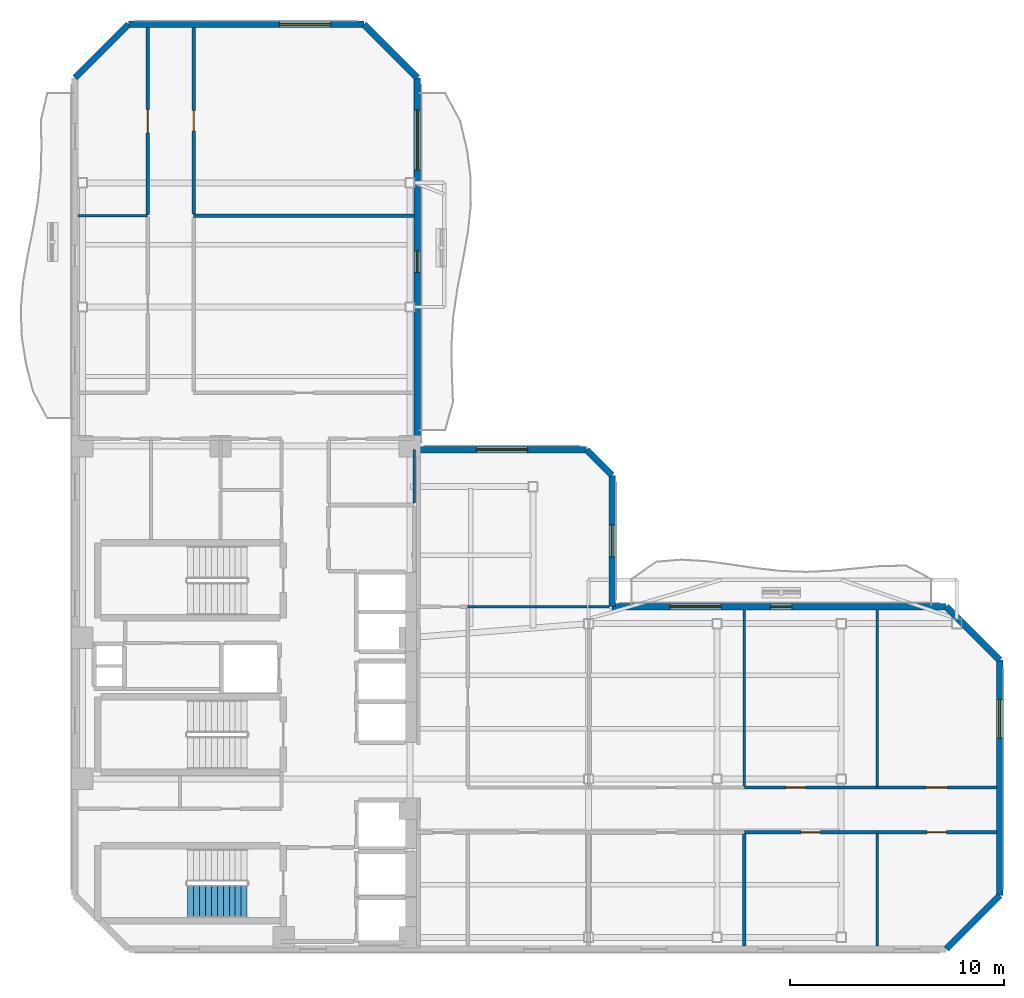
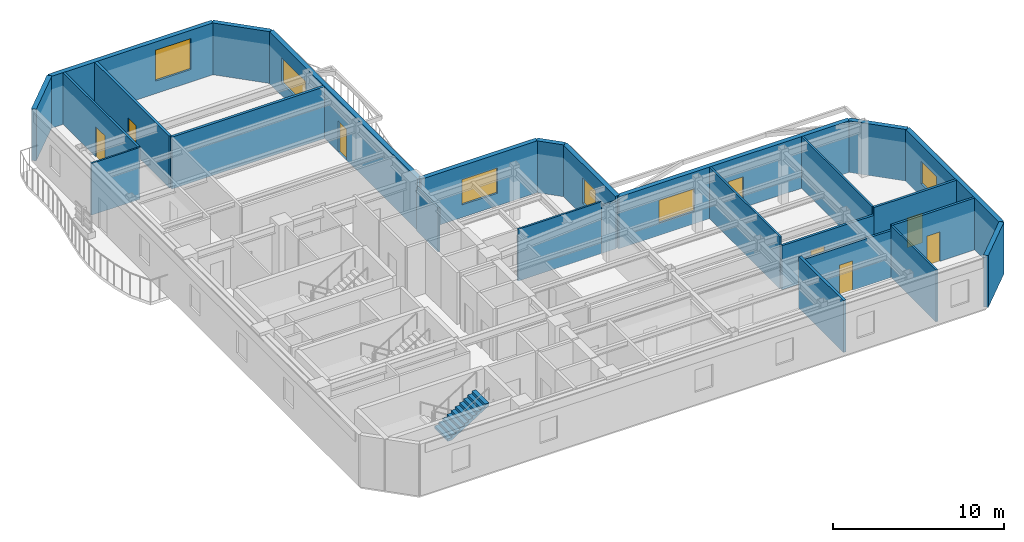
# One storey, part 5 of 13: 26 walls, 8 doors, 6 windows, 1 stair flight, 14 openings, 1 element without a shape of its own.
"""IFC4 building model written with IfcOpenShell, lengths in metres."""

from ifc_helpers import new_model, si_unit, direction, frame, frame_2d, origin, place, context, subcontext, project, spatial, polyline, rectangle, outline, extrude, material, layer, layer_set, type_object, element, fill, aggregate, save


model = new_model("IFC4")

# Units and contexts
model_context = context("Model", 3, precision=1e-05, world=origin(), true_north=direction((0.0, 1.0)))
body_context = subcontext(model_context, "Body", "Model", "MODEL_VIEW")
ifc_project = project(units=[si_unit("LENGTHUNIT", "METRE"), si_unit("AREAUNIT", "SQUARE_METRE"), si_unit("VOLUMEUNIT", "CUBIC_METRE"), si_unit("PLANEANGLEUNIT", "RADIAN"), si_unit("MASSUNIT", "GRAM", prefix="KILO")], contexts=[model_context])

# Site, building, storey
site_placement = place(None, origin())
site = spatial("IfcSite", under=ifc_project, at=site_placement, CompositionType="ELEMENT")
building_placement = place(site_placement, origin())
building = spatial("IfcBuilding", under=site, at=building_placement, Name="Mawjaban Terraces University", CompositionType="ELEMENT")
storey_placement = place(building_placement, frame((0.0, 0.0, 199.199951171875)))
storey = spatial("IfcBuildingStorey", under=building, at=storey_placement, Name="L48", CompositionType="ELEMENT", Elevation=199.199951171875)

# Wall
ifc_material_1 = material(Name="Acoustic masonry blockwork", Category="masonry")
ifc_layer_1 = layer(ifc_material_1, 0.179931640625)
ifc_layer_set_1 = layer_set([ifc_layer_1], Name="Acoustic masonry blockwork")
wall_type_1 = type_object("IfcWallType", Name="AcousticStudioWall_180", PredefinedType="PARTITIONING", material=ifc_layer_set_1)
wall_1_placement = place(storey_placement, frame((37.85009765625, 34.260009765625, 0.0), z_axis=(0.0, 0.0, 1.0), x_axis=(-1.0, 0.0, 0.0)))
element("IfcWall", 1, at=wall_1_placement, inside=storey, type_object=wall_type_1, Name="L48 Faculty Office 11 Partition 17", PredefinedType="PARTITIONING", context=body_context, shape_type="SweptSolid", body=[
    extrude(rectangle(XDim=10.300048828125, YDim=0.179931640625, at=frame_2d((5.14990234375, 0.0))), origin(), (0.0, 0.0, 1.0), 3.68994140625),
])

# Wall, opening, door
wall_2_placement = place(storey_placement, frame((27.550048828125, 34.344970703125, 0.0), z_axis=(0.0, 0.0, 1.0), x_axis=(0.0, 1.0, 0.0)))
wall_2 = element("IfcWall", 2, at=wall_2_placement, inside=storey, type_object=wall_type_1, Name="L48 West Shifted Academic Corridor Partition 36", PredefinedType="PARTITIONING", context=body_context, shape_type="SweptSolid", body=[
    extrude(rectangle(XDim=8.7099609375, YDim=0.179931640625, at=frame_2d((4.35498046875, 0.0))), origin(), (0.0, 0.0, 1.0), 3.68994140625),
])
opening_1_placement = place(wall_2_placement, frame((3.8798828125, 0.0, 0.0)))
opening_1 = element("IfcOpeningElement", 3, at=opening_1_placement, cuts=wall_2, Name="Opening ID-095", PredefinedType="OPENING", context=body_context, shape_type="SweptSolid", body=[
    extrude(rectangle(XDim=0.949951171875, YDim=2.10009765625, at=frame_2d((0.47509765625, 1.050048828125))), frame((0.0, 0.099853515625, 0.0), z_axis=(0.0, -1.0, 0.0), x_axis=(1.0, 0.0, 0.0)), (0.0, 0.0, 1.0), 0.199951171875),
])
ifc_material_2 = material(Name="Powder-coated steel frame and solid acoustic timber leaf", Category="steel")
door_type_1 = type_object("IfcDoorType", Name="StudioDoor_950x2100", OperationType="NOTDEFINED", PredefinedType="DOOR", material=ifc_material_2)
door_1_placement = place(opening_1_placement, origin())
door_1 = element("IfcDoor", 4, at=door_1_placement, inside=storey, type_object=door_type_1, Name="L48 Design Studio 13 Door", OperationType="SINGLE_SWING_RIGHT", OverallHeight=2.10009765625, OverallWidth=0.949951171875, PredefinedType="DOOR", context=body_context, shape_type="SweptSolid", body=[
    extrude(rectangle(XDim=0.949951171875, YDim=2.10009765625, at=frame_2d((0.47509765625, 1.050048828125))), frame((0.0, 0.02490234375, 0.0), z_axis=(0.0, -1.0, 0.0), x_axis=(1.0, 0.0, 0.0)), (0.0, 0.0, 1.0), 0.050048828125),
])
fill(opening_1, door_1)

# Wall
wall_3_placement = place(storey_placement, frame((53.27001953125, 0.14501953125, 0.0), z_axis=(0.0, 0.0, 1.0), x_axis=(0.0, 1.0, 0.0)))
element("IfcWall", 5, at=wall_3_placement, inside=storey, type_object=wall_type_1, Name="L48 Media Workshop 4 Partition 54", PredefinedType="PARTITIONING", context=body_context, shape_type="SweptSolid", body=[
    extrude(rectangle(XDim=5.219970703125, YDim=0.179931640625, at=frame_2d((2.60986328125, 0.0))), origin(), (0.0, 0.0, 1.0), 3.68994140625),
])

# Wall, opening, door
ifc_material_3 = material(Name="Fire-rated gypsum board on steel stud", Category="steel")
ifc_layer_2 = layer(ifc_material_3, 0.159912109375)
ifc_layer_set_2 = layer_set([ifc_layer_2], Name="Fire-rated gypsum board on steel stud")
wall_type_2 = type_object("IfcWallType", Name="CorridorPartition_160", PredefinedType="PARTITIONING", material=ifc_layer_set_2)
wall_4_placement = place(storey_placement, frame((53.27001953125, 5.449951171875, 0.0), z_axis=(0.0, 0.0, 1.0), x_axis=(1.0, 0.0, 0.0)))
wall_4 = element("IfcWall", 6, at=wall_4_placement, inside=storey, type_object=wall_type_2, Name="L48 South Shifted Academic Corridor Partition 25", PredefinedType="PARTITIONING", context=body_context, shape_type="SweptSolid", body=[
    extrude(rectangle(XDim=6.2099609375, YDim=0.159912109375, at=frame_2d((3.10498046875, 0.0))), origin(), (0.0, 0.0, 1.0), 3.343017578125),
])
opening_2_placement = place(wall_4_placement, frame((2.655029296875, 0.0, 0.0)))
opening_2 = element("IfcOpeningElement", 7, at=opening_2_placement, cuts=wall_4, Name="Opening ID-090", PredefinedType="OPENING", context=body_context, shape_type="SweptSolid", body=[
    extrude(rectangle(XDim=0.89990234375, YDim=2.10009765625, at=frame_2d((0.449951171875, 1.050048828125))), frame((0.0, 0.08984375, 0.0), z_axis=(0.0, -1.0, 0.0), x_axis=(1.0, 0.0, 0.0)), (0.0, 0.0, 1.0), 0.179931640625),
])
door_type_2 = type_object("IfcDoorType", Name="OfficeDoor_900x2100", OperationType="NOTDEFINED", PredefinedType="DOOR", material=ifc_material_2)
door_2_placement = place(opening_2_placement, origin())
door_2 = element("IfcDoor", 8, at=door_2_placement, inside=storey, type_object=door_type_2, Name="L48 Reading Salon 6 Door", OperationType="SINGLE_SWING_LEFT", OverallHeight=2.10009765625, OverallWidth=0.89990234375, PredefinedType="DOOR", context=body_context, shape_type="SweptSolid", body=[
    extrude(rectangle(XDim=0.89990234375, YDim=2.10009765625, at=frame_2d((0.449951171875, 1.050048828125))), frame((0.0, 0.02490234375, 0.0), z_axis=(0.0, -1.0, 0.0), x_axis=(1.0, 0.0, 0.0)), (0.0, 0.0, 1.0), 0.050048828125),
])
fill(opening_2, door_2)

wall_5_placement = place(storey_placement, frame((59.47998046875, 5.449951171875, 0.0), z_axis=(0.0, 0.0, 1.0), x_axis=(1.0, 0.0, 0.0)))
wall_5 = element("IfcWall", 9, at=wall_5_placement, inside=storey, type_object=wall_type_2, Name="L48 South Shifted Academic Corridor Partition 27", PredefinedType="PARTITIONING", context=body_context, shape_type="SweptSolid", body=[
    extrude(rectangle(XDim=5.574951171875, YDim=0.159912109375, at=frame_2d((2.78759765625, 0.0))), origin(), (0.0, 0.0, 1.0), 3.68994140625),
])
opening_3_placement = place(wall_5_placement, frame((2.337890625, 0.0, 0.0)))
opening_3 = element("IfcOpeningElement", 10, at=opening_3_placement, cuts=wall_5, Name="Opening ID-090", PredefinedType="OPENING", context=body_context, shape_type="SweptSolid", body=[
    extrude(rectangle(XDim=0.89990234375, YDim=2.10009765625, at=frame_2d((0.449951171875, 1.050048828125))), frame((0.0, 0.08984375, 0.0), z_axis=(0.0, -1.0, 0.0), x_axis=(1.0, 0.0, 0.0)), (0.0, 0.0, 1.0), 0.179931640625),
])
door_3_placement = place(opening_3_placement, origin())
door_3 = element("IfcDoor", 11, at=door_3_placement, inside=storey, type_object=door_type_2, Name="L48 Academic Counseling Room 8 Door", OperationType="SINGLE_SWING_LEFT", OverallHeight=2.10009765625, OverallWidth=0.89990234375, PredefinedType="DOOR", context=body_context, shape_type="SweptSolid", body=[
    extrude(rectangle(XDim=0.89990234375, YDim=2.10009765625, at=frame_2d((0.449951171875, 1.050048828125))), frame((0.0, 0.02490234375, 0.0), z_axis=(0.0, -1.0, 0.0), x_axis=(1.0, 0.0, 0.0)), (0.0, 0.0, 1.0), 0.050048828125),
])
fill(opening_3, door_3)

wall_6_placement = place(storey_placement, frame((59.47998046875, 7.550048828125, 0.0), z_axis=(0.0, 0.0, 1.0), x_axis=(-1.0, 0.0, 0.0)))
wall_6 = element("IfcWall", 12, at=wall_6_placement, inside=storey, type_object=wall_type_2, Name="L48 South Shifted Academic Corridor Partition 28", PredefinedType="PARTITIONING", context=body_context, shape_type="SweptSolid", body=[
    extrude(rectangle(XDim=6.2099609375, YDim=0.159912109375, at=frame_2d((3.10498046875, 0.0))), origin(), (0.0, 0.0, 1.0), 3.13916015625),
])
opening_4_placement = place(wall_6_placement, frame((3.35498046875, 0.0, 0.0)))
opening_4 = element("IfcOpeningElement", 13, at=opening_4_placement, cuts=wall_6, Name="Opening ID-090", PredefinedType="OPENING", context=body_context, shape_type="SweptSolid", body=[
    extrude(rectangle(XDim=0.89990234375, YDim=2.10009765625, at=frame_2d((0.449951171875, 1.050048828125))), frame((0.0, 0.08984375, 0.0), z_axis=(0.0, -1.0, 0.0), x_axis=(1.0, 0.0, 0.0)), (0.0, 0.0, 1.0), 0.179931640625),
])
door_4_placement = place(opening_4_placement, origin())
door_4 = element("IfcDoor", 14, at=door_4_placement, inside=storey, type_object=door_type_2, Name="L48 Academic Counseling Room 7 Door", OperationType="SINGLE_SWING_RIGHT", OverallHeight=2.10009765625, OverallWidth=0.89990234375, PredefinedType="DOOR", context=body_context, shape_type="SweptSolid", body=[
    extrude(rectangle(XDim=0.89990234375, YDim=2.10009765625, at=frame_2d((0.449951171875, 1.050048828125))), frame((0.0, 0.02490234375, 0.0), z_axis=(0.0, -1.0, 0.0), x_axis=(1.0, 0.0, 0.0)), (0.0, 0.0, 1.0), 0.050048828125),
])
fill(opening_4, door_4)

wall_7_placement = place(storey_placement, frame((65.054931640625, 7.550048828125, 0.0), z_axis=(0.0, 0.0, 1.0), x_axis=(-1.0, 0.0, 0.0)))
wall_7 = element("IfcWall", 15, at=wall_7_placement, inside=storey, type_object=wall_type_2, Name="L48 South Shifted Academic Corridor Partition 29", PredefinedType="PARTITIONING", context=body_context, shape_type="SweptSolid", body=[
    extrude(rectangle(XDim=5.574951171875, YDim=0.159912109375, at=frame_2d((2.78759765625, 0.0))), origin(), (0.0, 0.0, 1.0), 3.68994140625),
])
opening_5_placement = place(wall_7_placement, frame((2.2880859375, 0.0, 0.0)))
opening_5 = element("IfcOpeningElement", 16, at=opening_5_placement, cuts=wall_7, Name="Opening ID-100", PredefinedType="OPENING", context=body_context, shape_type="SweptSolid", body=[
    extrude(rectangle(XDim=1.0, YDim=2.10009765625, at=frame_2d((0.5, 1.050048828125))), frame((0.0, 0.08984375, 0.0), z_axis=(0.0, -1.0, 0.0), x_axis=(1.0, 0.0, 0.0)), (0.0, 0.0, 1.0), 0.179931640625),
])
door_type_3 = type_object("IfcDoorType", Name="ClassroomDoor_1000x2100", OperationType="NOTDEFINED", PredefinedType="DOOR", material=ifc_material_2)
door_5_placement = place(opening_5_placement, origin())
door_5 = element("IfcDoor", 17, at=door_5_placement, inside=storey, type_object=door_type_3, Name="L48 Classroom 9 Door", OperationType="SINGLE_SWING_RIGHT", OverallHeight=2.10009765625, OverallWidth=1.0, PredefinedType="DOOR", context=body_context, shape_type="SweptSolid", body=[
    extrude(rectangle(XDim=1.0, YDim=2.10009765625, at=frame_2d((0.5, 1.050048828125))), frame((0.0, 0.02490234375, 0.0), z_axis=(0.0, -1.0, 0.0), x_axis=(1.0, 0.0, 0.0)), (0.0, 0.0, 1.0), 0.050048828125),
])
fill(opening_5, door_5)

# Wall
ifc_material_4 = material(Name="Insulated terracotta rainscreen on concrete backup C40/50", Category="masonry")
ifc_layer_3 = layer(ifc_material_4, 0.300048828125)
ifc_layer_set_3 = layer_set([ifc_layer_3], Name="Insulated terracotta rainscreen on concrete backup C40/50")
wall_type_3 = type_object("IfcWallType", Name="ExtTerracottaWall_300", PredefinedType="SOLIDWALL", material=ifc_layer_set_3)
wall_8_placement = place(storey_placement, frame((62.699951171875, 0.0, 0.0), z_axis=(0.0, 0.0, 1.0), x_axis=(0.707106781187, 0.707106781187, 0.0)))
element("IfcWall", 18, at=wall_8_placement, inside=storey, type_object=wall_type_3, Name="L48 Exterior Terracotta Wall 2", PredefinedType="SOLIDWALL", context=body_context, shape_type="SweptSolid", body=[
    extrude(rectangle(XDim=3.53564453125, YDim=0.300048828125, at=frame_2d((1.767822265625, 0.0))), origin(), (0.0, 0.0, 1.0), 3.68994140625),
])

# Wall, opening, window
wall_9_placement = place(storey_placement, frame((65.199951171875, 2.5, 0.0), z_axis=(0.0, 0.0, 1.0), x_axis=(0.0, 1.0, 0.0)))
wall_9 = element("IfcWall", 19, at=wall_9_placement, inside=storey, type_object=wall_type_3, Name="L48 Exterior Terracotta Wall 3", PredefinedType="SOLIDWALL", context=body_context, shape_type="SweptSolid", body=[
    extrude(rectangle(XDim=11.0, YDim=0.300048828125, at=frame_2d((5.5, 0.0))), origin(), (0.0, 0.0, 1.0), 3.68994140625),
])
opening_6_placement = place(wall_9_placement, frame((7.35009765625, 0.0, 0.89990234375)))
opening_6 = element("IfcOpeningElement", 20, at=opening_6_placement, cuts=wall_9, Name="Opening W-03", PredefinedType="OPENING", context=body_context, shape_type="SweptSolid", body=[
    extrude(rectangle(XDim=1.800048828125, YDim=1.60009765625, at=frame_2d((0.89990234375, 0.800048828125))), frame((0.0, 0.159912109375, 0.0), z_axis=(0.0, -1.0, 0.0), x_axis=(1.0, 0.0, 0.0)), (0.0, 0.0, 1.0), 0.320068359375),
])
ifc_material_5 = material(Name="Low-E solar-control double glazing in thermally broken aluminium frame", Category="aluminium")
window_type_1 = type_object("IfcWindowType", Name="Win_1800x1600", PartitioningType="SINGLE_PANEL", PredefinedType="WINDOW", material=ifc_material_5)
window_1_placement = place(opening_6_placement, origin())
window_1 = element("IfcWindow", 21, at=window_1_placement, inside=storey, type_object=window_type_1, Name="L48 Facade Window 3.2", OverallHeight=1.60009765625, OverallWidth=1.800048828125, PartitioningType="SINGLE_PANEL", PredefinedType="WINDOW", context=body_context, shape_type="SweptSolid", body=[
    extrude(rectangle(XDim=1.800048828125, YDim=1.60009765625, at=frame_2d((0.89990234375, 0.800048828125))), frame((0.0, 0.030029296875, 0.0), z_axis=(0.0, -1.0, 0.0), x_axis=(1.0, 0.0, 0.0)), (0.0, 0.0, 1.0), 0.06005859375),
])
fill(opening_6, window_1)

# Wall
wall_10_placement = place(storey_placement, frame((65.199951171875, 13.5, 0.0), z_axis=(0.0, 0.0, 1.0), x_axis=(-0.707106781187, 0.707106781187, 0.0)))
element("IfcWall", 22, at=wall_10_placement, inside=storey, type_object=wall_type_3, Name="L48 Exterior Terracotta Wall 4", PredefinedType="SOLIDWALL", context=body_context, shape_type="SweptSolid", body=[
    extrude(rectangle(XDim=3.53564453125, YDim=0.300048828125, at=frame_2d((1.767822265625, 0.0))), origin(), (0.0, 0.0, 1.0), 3.68994140625),
])

# Wall, openings, door, window
wall_11_placement = place(storey_placement, frame((62.699951171875, 16.0, 0.0), z_axis=(0.0, 0.0, 1.0), x_axis=(-1.0, 0.0, 0.0)))
wall_11 = element("IfcWall", 23, at=wall_11_placement, inside=storey, type_object=wall_type_3, Name="L48 Exterior Terracotta Wall 5", PredefinedType="SOLIDWALL", context=body_context, shape_type="SweptSolid", body=[
    extrude(rectangle(XDim=15.599853515625, YDim=0.300048828125, at=frame_2d((7.7998046875, 0.0))), origin(), (0.0, 0.0, 1.0), 3.68994140625),
])
opening_7_placement = place(wall_11_placement, frame((7.199951171875, 0.0, 0.0)))
opening_7 = element("IfcOpeningElement", 24, at=opening_7_placement, cuts=wall_11, Name="Opening BD-100", PredefinedType="OPENING", context=body_context, shape_type="SweptSolid", body=[
    extrude(rectangle(XDim=1.0, YDim=2.199951171875, at=frame_2d((0.5, 1.10009765625))), frame((0.0, 0.159912109375, 0.0), z_axis=(0.0, -1.0, 0.0), x_axis=(1.0, 0.0, 0.0)), (0.0, 0.0, 1.0), 0.320068359375),
])
opening_8_placement = place(wall_11_placement, frame((10.5, 0.0, 0.89990234375)))
opening_8 = element("IfcOpeningElement", 25, at=opening_8_placement, cuts=wall_11, Name="Opening W-05", PredefinedType="OPENING", context=body_context, shape_type="SweptSolid", body=[
    extrude(rectangle(XDim=2.39990234375, YDim=1.60009765625, at=frame_2d((1.199951171875, 0.800048828125))), frame((0.0, 0.159912109375, 0.0), z_axis=(0.0, -1.0, 0.0), x_axis=(1.0, 0.0, 0.0)), (0.0, 0.0, 1.0), 0.320068359375),
])
ifc_material_6 = material(Name="Thermally broken anodised aluminium and laminated safety glass", Category="aluminium")
door_type_4 = type_object("IfcDoorType", Name="BalconyGlazedDoor_1000x2200", OperationType="NOTDEFINED", PredefinedType="DOOR", material=ifc_material_6)
door_6_placement = place(opening_7_placement, origin())
door_6 = element("IfcDoor", 26, at=door_6_placement, inside=storey, type_object=door_type_4, Name="L48 Balcony Access Door inner_north", OperationType="SINGLE_SWING_LEFT", OverallHeight=2.199951171875, OverallWidth=1.0, PredefinedType="DOOR", context=body_context, shape_type="SweptSolid", body=[
    extrude(rectangle(XDim=1.0, YDim=2.199951171875, at=frame_2d((0.5, 1.10009765625))), frame((0.0, 0.02490234375, 0.0), z_axis=(0.0, -1.0, 0.0), x_axis=(1.0, 0.0, 0.0)), (0.0, 0.0, 1.0), 0.050048828125),
])
fill(opening_7, door_6)
window_type_2 = type_object("IfcWindowType", Name="Win_2400x1600", PartitioningType="SINGLE_PANEL", PredefinedType="WINDOW", material=ifc_material_5)
window_2_placement = place(opening_8_placement, origin())
window_2 = element("IfcWindow", 27, at=window_2_placement, inside=storey, type_object=window_type_2, Name="L48 Facade Window 5.2", OverallHeight=1.60009765625, OverallWidth=2.39990234375, PartitioningType="SINGLE_PANEL", PredefinedType="WINDOW", context=body_context, shape_type="SweptSolid", body=[
    extrude(rectangle(XDim=2.39990234375, YDim=1.60009765625, at=frame_2d((1.199951171875, 0.800048828125))), frame((0.0, 0.030029296875, 0.0), z_axis=(0.0, -1.0, 0.0), x_axis=(1.0, 0.0, 0.0)), (0.0, 0.0, 1.0), 0.06005859375),
])
fill(opening_8, window_2)

# Wall, opening, window
wall_12_placement = place(storey_placement, frame((47.10009765625, 16.0, 0.0), z_axis=(0.0, 0.0, 1.0), x_axis=(0.0, 1.0, 0.0)))
wall_12 = element("IfcWall", 28, at=wall_12_placement, inside=storey, type_object=wall_type_3, Name="L48 Exterior Terracotta Wall 6", PredefinedType="SOLIDWALL", context=body_context, shape_type="SweptSolid", body=[
    extrude(rectangle(XDim=6.135009765625, YDim=0.300048828125, at=frame_2d((3.0673828125, 0.0))), origin(), (0.0, 0.0, 1.0), 3.68994140625),
])
opening_9_placement = place(wall_12_placement, frame((2.318115234375, 0.0, 0.89990234375)))
opening_9 = element("IfcOpeningElement", 29, at=opening_9_placement, cuts=wall_12, Name="Opening W-06", PredefinedType="OPENING", context=body_context, shape_type="SweptSolid", body=[
    extrude(rectangle(XDim=1.5, YDim=1.800048828125, at=frame_2d((0.75, 0.89990234375))), frame((0.0, 0.159912109375, 0.0), z_axis=(0.0, -1.0, 0.0), x_axis=(1.0, 0.0, 0.0)), (0.0, 0.0, 1.0), 0.320068359375),
])
window_type_3 = type_object("IfcWindowType", Name="Win_1500x1800", PartitioningType="SINGLE_PANEL", PredefinedType="WINDOW", material=ifc_material_5)
window_3_placement = place(opening_9_placement, origin())
window_3 = element("IfcWindow", 30, at=window_3_placement, inside=storey, type_object=window_type_3, Name="L48 Facade Window 6.1", OverallHeight=1.800048828125, OverallWidth=1.5, PartitioningType="SINGLE_PANEL", PredefinedType="WINDOW", context=body_context, shape_type="SweptSolid", body=[
    extrude(rectangle(XDim=1.5, YDim=1.800048828125, at=frame_2d((0.75, 0.89990234375))), frame((0.0, 0.030029296875, 0.0), z_axis=(0.0, -1.0, 0.0), x_axis=(1.0, 0.0, 0.0)), (0.0, 0.0, 1.0), 0.06005859375),
])
fill(opening_9, window_3)

# Wall
wall_13_placement = place(storey_placement, frame((47.10009765625, 22.135009765625, 0.0), z_axis=(0.0, 0.0, 1.0), x_axis=(-0.707178703759, 0.707034851297, 0.0)))
element("IfcWall", 31, at=wall_13_placement, inside=storey, type_object=wall_type_3, Name="L48 Exterior Terracotta Wall 7", PredefinedType="SOLIDWALL", context=body_context, shape_type="SweptSolid", body=[
    extrude(rectangle(XDim=1.697265625, YDim=0.300048828125, at=frame_2d((0.8486328125, 0.0))), origin(), (0.0, 0.0, 1.0), 3.68994140625),
])

# Wall, opening, window
wall_14_placement = place(storey_placement, frame((45.89990234375, 23.3349609375, 0.0), z_axis=(0.0, 0.0, 1.0), x_axis=(-1.0, 0.0, 0.0)))
wall_14 = element("IfcWall", 32, at=wall_14_placement, inside=storey, type_object=wall_type_3, Name="L48 Exterior Terracotta Wall 8", PredefinedType="SOLIDWALL", context=body_context, shape_type="SweptSolid", body=[
    extrude(rectangle(XDim=7.89990234375, YDim=0.300048828125, at=frame_2d((3.949951171875, 0.0))), origin(), (0.0, 0.0, 1.0), 3.68994140625),
])
opening_10_placement = place(wall_14_placement, frame((2.75, 0.0, 0.89990234375)))
opening_10 = element("IfcOpeningElement", 33, at=opening_10_placement, cuts=wall_14, Name="Opening W-08", PredefinedType="OPENING", context=body_context, shape_type="SweptSolid", body=[
    extrude(rectangle(XDim=2.39990234375, YDim=1.800048828125, at=frame_2d((1.199951171875, 0.89990234375))), frame((0.0, 0.159912109375, 0.0), z_axis=(0.0, -1.0, 0.0), x_axis=(1.0, 0.0, 0.0)), (0.0, 0.0, 1.0), 0.320068359375),
])
window_type_4 = type_object("IfcWindowType", Name="Win_2400x1800", PartitioningType="SINGLE_PANEL", PredefinedType="WINDOW", material=ifc_material_5)
window_4_placement = place(opening_10_placement, origin())
window_4 = element("IfcWindow", 34, at=window_4_placement, inside=storey, type_object=window_type_4, Name="L48 Facade Window 8.1", OverallHeight=1.800048828125, OverallWidth=2.39990234375, PartitioningType="SINGLE_PANEL", PredefinedType="WINDOW", context=body_context, shape_type="SweptSolid", body=[
    extrude(rectangle(XDim=2.39990234375, YDim=1.800048828125, at=frame_2d((1.199951171875, 0.89990234375))), frame((0.0, 0.030029296875, 0.0), z_axis=(0.0, -1.0, 0.0), x_axis=(1.0, 0.0, 0.0)), (0.0, 0.0, 1.0), 0.06005859375),
])
fill(opening_10, window_4)

# Wall, openings, door, window
wall_15_placement = place(storey_placement, frame((38.0, 23.3349609375, 0.0), z_axis=(0.0, 0.0, 1.0), x_axis=(0.0, 1.0, 0.0)))
wall_15 = element("IfcWall", 35, at=wall_15_placement, inside=storey, type_object=wall_type_3, Name="L48 Exterior Terracotta Wall 9", PredefinedType="SOLIDWALL", context=body_context, shape_type="SweptSolid", body=[
    extrude(rectangle(XDim=17.364990234375, YDim=0.300048828125, at=frame_2d((8.6826171875, 0.0))), origin(), (0.0, 0.0, 1.0), 3.68994140625),
])
opening_11_placement = place(wall_15_placement, frame((8.281982421875, 0.0, 0.0)))
opening_11 = element("IfcOpeningElement", 36, at=opening_11_placement, cuts=wall_15, Name="Opening BD-100", PredefinedType="OPENING", context=body_context, shape_type="SweptSolid", body=[
    extrude(rectangle(XDim=1.0, YDim=2.199951171875, at=frame_2d((0.5, 1.10009765625))), frame((0.0, 0.159912109375, 0.0), z_axis=(0.0, -1.0, 0.0), x_axis=(1.0, 0.0, 0.0)), (0.0, 0.0, 1.0), 0.320068359375),
])
opening_12_placement = place(wall_15_placement, frame((13.071044921875, 0.0, 0.89990234375)))
opening_12 = element("IfcOpeningElement", 37, at=opening_12_placement, cuts=wall_15, Name="Opening W-09", PredefinedType="OPENING", context=body_context, shape_type="SweptSolid", body=[
    extrude(rectangle(XDim=2.800048828125, YDim=1.800048828125, at=frame_2d((1.39990234375, 0.89990234375))), frame((0.0, 0.159912109375, 0.0), z_axis=(0.0, -1.0, 0.0), x_axis=(1.0, 0.0, 0.0)), (0.0, 0.0, 1.0), 0.320068359375),
])
door_7_placement = place(opening_11_placement, origin())
door_7 = element("IfcDoor", 38, at=door_7_placement, inside=storey, type_object=door_type_4, Name="L48 Balcony Access Door inner_east", OperationType="SINGLE_SWING_LEFT", OverallHeight=2.199951171875, OverallWidth=1.0, PredefinedType="DOOR", context=body_context, shape_type="SweptSolid", body=[
    extrude(rectangle(XDim=1.0, YDim=2.199951171875, at=frame_2d((0.5, 1.10009765625))), frame((0.0, 0.02490234375, 0.0), z_axis=(0.0, -1.0, 0.0), x_axis=(1.0, 0.0, 0.0)), (0.0, 0.0, 1.0), 0.050048828125),
])
fill(opening_11, door_7)
window_type_5 = type_object("IfcWindowType", Name="Win_2800x1800", PartitioningType="SINGLE_PANEL", PredefinedType="WINDOW", material=ifc_material_5)
window_5_placement = place(opening_12_placement, origin())
window_5 = element("IfcWindow", 39, at=window_5_placement, inside=storey, type_object=window_type_5, Name="L48 Facade Window 9.3", OverallHeight=1.800048828125, OverallWidth=2.800048828125, PartitioningType="SINGLE_PANEL", PredefinedType="WINDOW", context=body_context, shape_type="SweptSolid", body=[
    extrude(rectangle(XDim=2.800048828125, YDim=1.800048828125, at=frame_2d((1.39990234375, 0.89990234375))), frame((0.0, 0.030029296875, 0.0), z_axis=(0.0, -1.0, 0.0), x_axis=(1.0, 0.0, 0.0)), (0.0, 0.0, 1.0), 0.06005859375),
])
fill(opening_12, window_5)

# Wall
wall_16_placement = place(storey_placement, frame((38.0, 40.699951171875, 0.0), z_axis=(0.0, 0.0, 1.0), x_axis=(-0.707106781187, 0.707106781187, 0.0)))
element("IfcWall", 40, at=wall_16_placement, inside=storey, type_object=wall_type_3, Name="L48 Exterior Terracotta Wall 10", PredefinedType="SOLIDWALL", context=body_context, shape_type="SweptSolid", body=[
    extrude(rectangle(XDim=3.53564453125, YDim=0.300048828125, at=frame_2d((1.767822265625, 0.0))), origin(), (0.0, 0.0, 1.0), 3.68994140625),
])

# Wall, opening, window
wall_17_placement = place(storey_placement, frame((35.5, 43.199951171875, 0.0), z_axis=(0.0, 0.0, 1.0), x_axis=(-1.0, 0.0, 0.0)))
wall_17 = element("IfcWall", 41, at=wall_17_placement, inside=storey, type_object=wall_type_3, Name="L48 Exterior Terracotta Wall 11", PredefinedType="SOLIDWALL", context=body_context, shape_type="SweptSolid", body=[
    extrude(rectangle(XDim=11.0, YDim=0.300048828125, at=frame_2d((5.5, 0.0))), origin(), (0.0, 0.0, 1.0), 3.68994140625),
])
opening_13_placement = place(wall_17_placement, frame((1.550048828125, 0.0, 0.89990234375)))
opening_13 = element("IfcOpeningElement", 42, at=opening_13_placement, cuts=wall_17, Name="Opening W-11", PredefinedType="OPENING", context=body_context, shape_type="SweptSolid", body=[
    extrude(rectangle(XDim=2.39990234375, YDim=2.199951171875, at=frame_2d((1.199951171875, 1.10009765625))), frame((0.0, 0.159912109375, 0.0), z_axis=(0.0, -1.0, 0.0), x_axis=(1.0, 0.0, 0.0)), (0.0, 0.0, 1.0), 0.320068359375),
])
window_type_6 = type_object("IfcWindowType", Name="Win_2400x2200", PartitioningType="SINGLE_PANEL", PredefinedType="WINDOW", material=ifc_material_5)
window_6_placement = place(opening_13_placement, origin())
window_6 = element("IfcWindow", 43, at=window_6_placement, inside=storey, type_object=window_type_6, Name="L48 Facade Window 11.1", OverallHeight=2.199951171875, OverallWidth=2.39990234375, PartitioningType="SINGLE_PANEL", PredefinedType="WINDOW", context=body_context, shape_type="SweptSolid", body=[
    extrude(rectangle(XDim=2.39990234375, YDim=2.199951171875, at=frame_2d((1.199951171875, 1.10009765625))), frame((0.0, 0.030029296875, 0.0), z_axis=(0.0, -1.0, 0.0), x_axis=(1.0, 0.0, 0.0)), (0.0, 0.0, 1.0), 0.06005859375),
])
fill(opening_13, window_6)

# Wall
wall_18_placement = place(storey_placement, frame((24.5, 43.199951171875, 0.0), z_axis=(0.0, 0.0, 1.0), x_axis=(-0.707106781187, -0.707106781187, 0.0)))
element("IfcWall", 44, at=wall_18_placement, inside=storey, type_object=wall_type_3, Name="L48 Exterior Terracotta Wall 12", PredefinedType="SOLIDWALL", context=body_context, shape_type="SweptSolid", body=[
    extrude(rectangle(XDim=3.53564453125, YDim=0.300048828125, at=frame_2d((1.767822265625, 0.0))), origin(), (0.0, 0.0, 1.0), 3.68994140625),
])

# Wall, opening, door
ifc_material_7 = material(Name="Moisture-resistant gypsum board on steel stud", Category="steel")
ifc_layer_4 = layer(ifc_material_7, 0.14501953125)
ifc_layer_set_4 = layer_set([ifc_layer_4], Name="Moisture-resistant gypsum board on steel stud")
wall_type_4 = type_object("IfcWallType", Name="LabPartition_145", PredefinedType="PARTITIONING", material=ifc_layer_set_4)
wall_19_placement = place(storey_placement, frame((25.39990234375, 43.054931640625, 0.0), z_axis=(0.0, 0.0, 1.0), x_axis=(0.0, -1.0, 0.0)))
wall_19 = element("IfcWall", 45, at=wall_19_placement, inside=storey, type_object=wall_type_4, Name="L48 West Shifted Academic Corridor Partition 32", PredefinedType="PARTITIONING", context=body_context, shape_type="SweptSolid", body=[
    extrude(rectangle(XDim=8.744873046875, YDim=0.14501953125, at=frame_2d((4.37255859375, 0.0))), origin(), (0.0, 0.0, 1.0), 3.68994140625),
])
opening_14_placement = place(wall_19_placement, frame((3.822021484375, 0.0, 0.0)))
opening_14 = element("IfcOpeningElement", 46, at=opening_14_placement, cuts=wall_19, Name="Opening ID-110", PredefinedType="OPENING", context=body_context, shape_type="SweptSolid", body=[
    extrude(rectangle(XDim=1.10009765625, YDim=2.14990234375, at=frame_2d((0.550048828125, 1.074951171875))), frame((0.0, 0.08251953125, 0.0), z_axis=(0.0, -1.0, 0.0), x_axis=(1.0, 0.0, 0.0)), (0.0, 0.0, 1.0), 0.1650390625),
])
door_type_5 = type_object("IfcDoorType", Name="LabDoor_1100x2150", OperationType="NOTDEFINED", PredefinedType="DOOR", material=ifc_material_2)
door_8_placement = place(opening_14_placement, origin())
door_8 = element("IfcDoor", 47, at=door_8_placement, inside=storey, type_object=door_type_5, Name="L48 Teaching Laboratory 12 Door", OperationType="SINGLE_SWING_LEFT", OverallHeight=2.14990234375, OverallWidth=1.10009765625, PredefinedType="DOOR", context=body_context, shape_type="SweptSolid", body=[
    extrude(rectangle(XDim=1.10009765625, YDim=2.14990234375, at=frame_2d((0.550048828125, 1.074951171875))), frame((0.0, 0.02490234375, 0.0), z_axis=(0.0, -1.0, 0.0), x_axis=(1.0, 0.0, 0.0)), (0.0, 0.0, 1.0), 0.050048828125),
])
fill(opening_14, door_8)

# Walls
ifc_material_8 = material(Name="Gypsum plasterboard on steel stud", Category="steel")
ifc_layer_5 = layer(ifc_material_8, 0.125)
ifc_layer_set_5 = layer_set([ifc_layer_5], Name="Gypsum plasterboard on steel stud")
wall_type_5 = type_object("IfcWallType", Name="OfficePartition_125", PredefinedType="PARTITIONING", material=ifc_layer_set_5)
wall_20_placement = place(storey_placement, frame((46.0, 16.0, 0.0), z_axis=(0.0, 0.0, 1.0), x_axis=(1.0, 0.0, 0.0)))
element("IfcWall", 48, at=wall_20_placement, inside=storey, type_object=wall_type_5, Name="L48 Terrace Collaborative Study Room Partition 23", PredefinedType="PARTITIONING", context=body_context, shape_type="SweptSolid", body=[
    extrude(rectangle(XDim=0.955078125, YDim=0.125, at=frame_2d((0.4775390625, 0.0))), origin(), (0.0, 0.0, 1.0), 3.39013671875),
])
wall_21_placement = place(storey_placement, frame((46.0, 16.0, 0.0), z_axis=(0.0, 0.0, 1.0), x_axis=(-1.0, 0.0, 0.0)))
element("IfcWall", 49, at=wall_21_placement, inside=storey, type_object=wall_type_5, Name="L48 Reading Salon 3 Partition 24", PredefinedType="PARTITIONING", context=body_context, shape_type="SweptSolid", body=[
    extrude(rectangle(XDim=5.64990234375, YDim=0.125, at=frame_2d((2.824951171875, 0.0))), origin(), (0.0, 0.0, 1.0), 3.68994140625),
])
wall_22_placement = place(storey_placement, frame((37.85009765625, 20.8349609375, 0.0), z_axis=(0.0, 0.0, 1.0), x_axis=(0.0, 1.0, 0.0)))
element("IfcWall", 50, at=wall_22_placement, inside=storey, type_object=wall_type_5, Name="L48 Departmental Copy and Archive Room Partition 45", PredefinedType="PARTITIONING", context=body_context, shape_type="SweptSolid", body=[
    extrude(rectangle(XDim=2.5, YDim=0.125, at=frame_2d((1.25, 0.0))), origin(), (0.0, 0.0, 1.0), 3.13916015625),
])
wall_23_placement = place(storey_placement, frame((53.27001953125, 7.625, 0.0), z_axis=(0.0, 0.0, 1.0), x_axis=(0.0, 1.0, 0.0)))
element("IfcWall", 51, at=wall_23_placement, inside=storey, type_object=wall_type_5, Name="L48 Quiet Reading Room 5 Partition 55", PredefinedType="PARTITIONING", context=body_context, shape_type="SweptSolid", body=[
    extrude(rectangle(XDim=8.22998046875, YDim=0.125, at=frame_2d((4.114990234375, 0.0))), origin(), (0.0, 0.0, 1.0), 3.68994140625),
])
wall_24_placement = place(storey_placement, frame((59.47998046875, 0.14501953125, 0.0), z_axis=(0.0, 0.0, 1.0), x_axis=(0.0, 1.0, 0.0)))
element("IfcWall", 52, at=wall_24_placement, inside=storey, type_object=wall_type_5, Name="L48 Reading Salon 6 Partition 56", PredefinedType="PARTITIONING", context=body_context, shape_type="SweptSolid", body=[
    extrude(rectangle(XDim=5.22998046875, YDim=0.125, at=frame_2d((2.614990234375, 0.0))), origin(), (0.0, 0.0, 1.0), 3.68994140625),
])
wall_25_placement = place(storey_placement, frame((59.47998046875, 7.625, 0.0), z_axis=(0.0, 0.0, 1.0), x_axis=(0.0, 1.0, 0.0)))
element("IfcWall", 53, at=wall_25_placement, inside=storey, type_object=wall_type_5, Name="L48 Academic Counseling Room 7 Partition 57", PredefinedType="PARTITIONING", context=body_context, shape_type="SweptSolid", body=[
    extrude(rectangle(XDim=8.22998046875, YDim=0.125, at=frame_2d((4.114990234375, 0.0))), origin(), (0.0, 0.0, 1.0), 3.68994140625),
])
ifc_material_9 = material(Name="Acoustic operable panel partition", Category="masonry")
ifc_layer_6 = layer(ifc_material_9, 0.110107421875)
ifc_layer_set_6 = layer_set([ifc_layer_6], Name="Acoustic operable panel partition")
wall_type_6 = type_object("IfcWallType", Name="OperableSeminarWall_110", PredefinedType="MOVABLE", material=ifc_layer_set_6)
wall_26_placement = place(storey_placement, frame((25.39990234375, 34.260009765625, 0.0), z_axis=(0.0, 0.0, 1.0), x_axis=(-1.0, 0.0, 0.0)))
element("IfcWall", 54, at=wall_26_placement, inside=storey, type_object=wall_type_6, Name="L48 Seminar Room 10 Partition 4", PredefinedType="MOVABLE", context=body_context, shape_type="SweptSolid", body=[
    extrude(rectangle(XDim=3.2548828125, YDim=0.110107421875, at=frame_2d((1.62744140625, 0.0))), origin(), (0.0, 0.0, 1.0), 3.68994140625),
])

# Stair, stair flight
ifc_material_10 = material(Name="Concrete C40/50", Category="concrete")
stair_type = type_object("IfcStairType", Name="Stair_Core1550_H39", PredefinedType="HALF_TURN_STAIR", material=ifc_material_10)
stair_placement = place(storey_placement, origin())
stair = element("IfcStair", 55, at=stair_placement, inside=storey, type_object=stair_type, Name="L48 Core Exit Stair 1", PredefinedType="HALF_TURN_STAIR")
stair_flight_type = type_object("IfcStairFlightType", Name="Flight_Core1550_H39", PredefinedType="STRAIGHT", material=ifc_material_10)
stair_flight_placement = place(storey_placement, frame((27.25, 2.22509765625, 1.949951171875), z_axis=(0.0, 0.0, 1.0), x_axis=(1.0, 0.0, 0.0)))
stair_flight = element("IfcStairFlight", 56, at=stair_flight_placement, type_object=stair_flight_type, Name="ST-1 flight 2", NumberOfRisers=11, NumberOfTreads=10, PredefinedType="STRAIGHT", RiserHeight=0.177272727, TreadLength=0.28, context=body_context, shape_type="SweptSolid", body=[
    extrude(outline(polyline([(0.0, 0.0), (0.0, 0.17724609375), (0.280029296875, 0.17724609375), (0.280029296875, 0.3544921875), (0.56005859375, 0.3544921875), (0.56005859375, 0.53173828125), (0.840087890625, 0.53173828125), (0.840087890625, 0.708984375), (1.1201171875, 0.708984375), (1.1201171875, 0.886474609375), (1.39990234375, 0.886474609375), (1.39990234375, 1.063720703125), (1.679931640625, 1.063720703125), (1.679931640625, 1.240966796875), (1.9599609375, 1.240966796875), (1.9599609375, 1.418212890625), (2.239990234375, 1.418212890625), (2.239990234375, 1.595458984375), (2.52001953125, 1.595458984375), (2.52001953125, 1.772705078125), (2.800048828125, 1.772705078125), (2.800048828125, 1.949951171875), (2.800048828125, 1.59521484375), (0.2802734375, 0.0), (0.0, 0.0)])), frame((0.0, 0.77490234375, 0.0), z_axis=(0.0, -1.0, 0.0), x_axis=(1.0, 0.0, 0.0)), (0.0, 0.0, 1.0), 1.550048828125),
])
aggregate(stair, [stair_flight])

save(model, "model.ifc")
